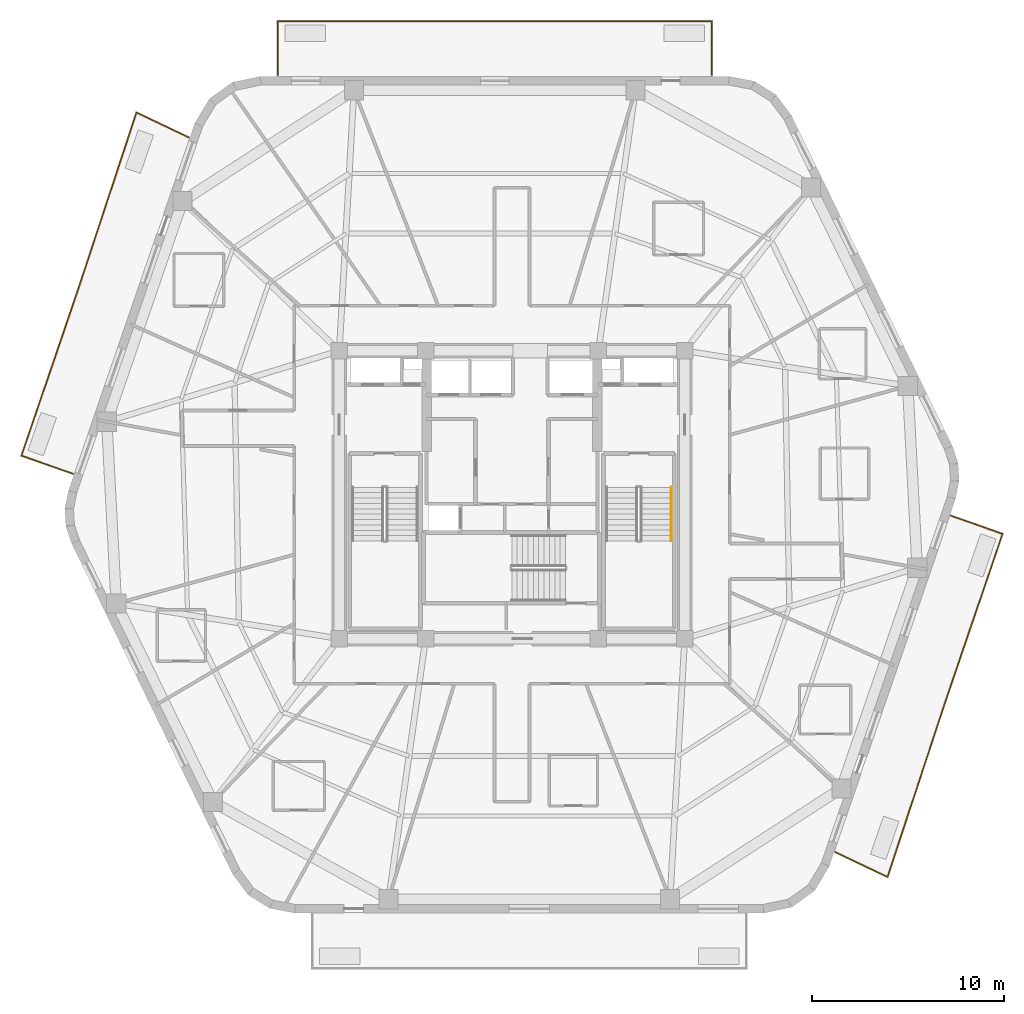
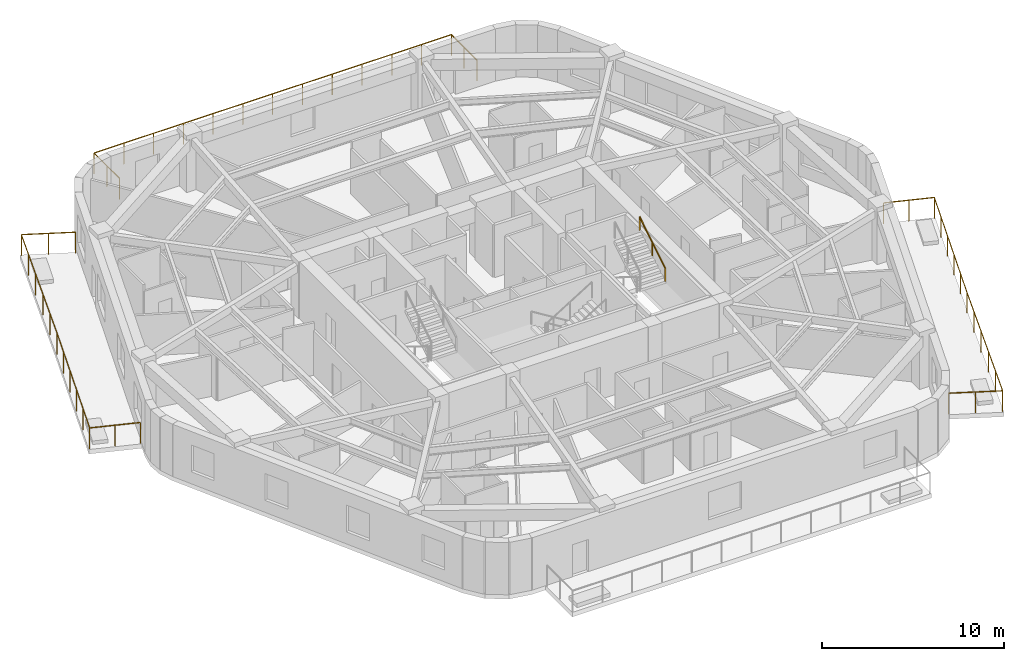
# One storey, part 9 of 9: 4 railings.
"""IFC4 building model written with IfcOpenShell, lengths in metres."""

import ifcopenshell
import ifcopenshell.guid

model = None  # the IFC model being written
_history = None  # IfcOwnerHistory: only IFC2X3 demands one
_inside = {}  # id of a spatial element -> (the spatial element, [elements in it])
_under = {}  # id of a project, library or spatial element -> (it, [spatial elements below it])
_declared = {}  # id of a project -> (the project, [libraries it declares])
_typed = {}  # id of a type object -> (the type object, [elements of that type])
_made_of = {}  # id of a material, layer set ... -> (it, [elements and type objects made of it])


def new_model(schema):
    """Start an empty IFC model of exactly this schema.

    Asked for "IFC4X3", IfcOpenShell would pick the latest addendum, in which some entities
    have other attributes; the version numbers below select the first issue.
    IFC2X3 requires an IfcOwnerHistory on every rooted entity: one is made here for all.
    """
    global model, _history
    if schema == "IFC4X3":
        model = ifcopenshell.file(schema_version=(4, 3, 0, 0))
    else:
        model = ifcopenshell.file(schema=schema)
    _inside.clear()
    _under.clear()
    _declared.clear()
    _typed.clear()
    _made_of.clear()
    _history = None
    if model.schema == "IFC2X3":
        org = make("IfcOrganization", Name="unknown")
        user = make(
            "IfcPersonAndOrganization",
            ThePerson=make("IfcPerson", FamilyName="unknown"),
            TheOrganization=org,
        )
        app = make(
            "IfcApplication",
            ApplicationDeveloper=org,
            Version="unknown",
            ApplicationFullName="unknown",
            ApplicationIdentifier="unknown",
        )
        _history = make(
            "IfcOwnerHistory",
            OwningUser=user,
            OwningApplication=app,
            ChangeAction="ADDED",
            CreationDate=0,
        )
    return model


def make(cls, **values):
    """One entity of the class cls with the attributes given. An attribute that is None is left unset."""
    return model.create_entity(
        cls, **{name: value for name, value in values.items() if value is not None}
    )


def rooted(cls, **values):
    """An entity with a GlobalId (a new one), such as an element, a storey or a relation."""
    return make(cls, GlobalId=ifcopenshell.guid.new(), OwnerHistory=_history, **values)


def si_unit(unit_type, name, prefix=None):
    """IfcSIUnit, for example si_unit("LENGTHUNIT", "METRE", prefix="MILLI")."""
    return make("IfcSIUnit", UnitType=unit_type, Prefix=prefix, Name=name)


def assignment(units):
    """IfcUnitAssignment: the units of a project."""
    return None if units is None else make("IfcUnitAssignment", Units=units)


def point(xyz):
    """IfcCartesianPoint."""
    return None if xyz is None else make("IfcCartesianPoint", Coordinates=xyz)


def direction(xyz):
    """IfcDirection."""
    return None if xyz is None else make("IfcDirection", DirectionRatios=xyz)


def frame(location, z_axis=None, x_axis=None):
    """IfcAxis2Placement3D, a coordinate frame: its origin and axes. An axis left out is left unset."""
    return make(
        "IfcAxis2Placement3D",
        Location=point(location),
        Axis=direction(z_axis),
        RefDirection=direction(x_axis),
    )


def frame_2d(location, x_axis=None):
    """IfcAxis2Placement2D, a coordinate frame in the plane: its origin and x axis."""
    return make(
        "IfcAxis2Placement2D", Location=point(location), RefDirection=direction(x_axis)
    )


def origin():
    """The frame at (0, 0, 0) with its axes left unset."""
    return frame((0.0, 0.0, 0.0))


def origin_2d():
    """The frame at (0, 0) in the plane with its x axis left unset."""
    return frame_2d((0.0, 0.0))


def place(relative_to, where):
    """IfcLocalPlacement: puts the frame where relative to a parent placement (None: the world)."""
    return make(
        "IfcLocalPlacement", PlacementRelTo=relative_to, RelativePlacement=where
    )


def context(
    kind, dimensions, precision=None, world=None, true_north=None, identifier=None
):
    """IfcGeometricRepresentationContext, for example the 3D "Model" context."""
    return make(
        "IfcGeometricRepresentationContext",
        ContextIdentifier=identifier,
        ContextType=kind,
        CoordinateSpaceDimension=dimensions,
        Precision=precision,
        WorldCoordinateSystem=world,
        TrueNorth=true_north,
    )


def subcontext(parent, identifier, kind, view, scale=None):
    """IfcGeometricRepresentationSubContext, for example "Body" below "Model"."""
    return make(
        "IfcGeometricRepresentationSubContext",
        ContextIdentifier=identifier,
        ContextType=kind,
        ParentContext=parent,
        TargetScale=scale,
        TargetView=view,
    )


def project(units=None, contexts=None):
    """IfcProject with its units and contexts."""
    return rooted(
        "IfcProject",
        Name="project",
        RepresentationContexts=contexts,
        UnitsInContext=assignment(units),
    )


def spatial(cls, under=None, at=None, **own):
    """A site, building, storey or space (cls), placed at a placement, below another one or the project."""
    s = rooted(cls, ObjectPlacement=at, **own)
    if under is not None:
        _under.setdefault(under.id(), (under, []))[1].append(s)
    return s


def profile(cls, at=None, kind="AREA", **sizes):
    """A parametric profile (cls). Its sizes go by their IFC names, for example OverallWidth=200.0."""
    return make(cls, ProfileType=kind, Position=at, **sizes)


def rectangle(**sizes):
    """IfcRectangleProfileDef."""
    return profile("IfcRectangleProfileDef", **sizes)


def extrude(swept, where, along, depth):
    """IfcExtrudedAreaSolid: the profile swept, set in the frame where, extruded along a direction by depth."""
    return make(
        "IfcExtrudedAreaSolid",
        SweptArea=swept,
        Position=where,
        ExtrudedDirection=direction(along),
        Depth=depth,
    )


def shape(context_of_items, identifier, shape_type, items):
    """IfcShapeRepresentation: the items that make up one representation, for example the "Body"."""
    return make(
        "IfcShapeRepresentation",
        ContextOfItems=context_of_items,
        RepresentationIdentifier=identifier,
        RepresentationType=shape_type,
        Items=items,
    )


def material(Name=None, Category=None):
    """IfcMaterial."""
    return make("IfcMaterial", Name=Name, Category=Category)


def layer(
    of_material, thickness, ventilated=None, Name=None, Category=None, Priority=None
):
    """IfcMaterialLayer: one layer of a wall or slab, of a material (None: an air gap)."""
    return make(
        "IfcMaterialLayer",
        Material=of_material,
        LayerThickness=thickness,
        IsVentilated=ventilated,
        Name=Name,
        Category=Category,
        Priority=Priority,
    )


def layer_set(layers, Name=None):
    """IfcMaterialLayerSet."""
    return make("IfcMaterialLayerSet", MaterialLayers=layers, LayerSetName=Name)


def made_of(thing, what):
    """Note that an element or type object is made of a material, layer set ...; save() writes the relation."""
    if what is not None:
        _made_of.setdefault(what.id(), (what, []))[1].append(thing)
    return thing


def type_object(cls, material=None, **own):
    """A type object (cls), such as IfcWallType, which elements share."""
    return made_of(rooted(cls, **own), material)


def element(
    cls,
    number,
    at=None,
    inside=None,
    cuts=None,
    type_object=None,
    material=None,
    context=None,
    identifier="Body",
    shape_type=None,
    held_by="IfcProductDefinitionShape",
    body=None,
    shapes=None,
    **own,
):
    """One element of the class cls, such as IfcWall. Its Tag is "e" and its number.

    at: its placement. inside: the storey or other place that contains it. cuts: it is an
    opening in that element (IfcRelVoidsElement). A single representation is given by context,
    identifier, shape_type and body (its items); several are given by shapes. held_by: the class
    of the entity that holds the representations. save() writes the other relations.
    """
    e = rooted(cls, Tag="e%d" % number, ObjectPlacement=at, **own)
    if body is not None:
        shapes = [shape(context, identifier, shape_type, body)]
    if shapes is not None:
        e.Representation = make(held_by, Representations=shapes)
    if inside is not None:
        _inside.setdefault(inside.id(), (inside, []))[1].append(e)
    if cuts is not None:
        rooted(
            "IfcRelVoidsElement", RelatingBuildingElement=cuts, RelatedOpeningElement=e
        )
    if type_object is not None:
        _typed.setdefault(type_object.id(), (type_object, []))[1].append(e)
    return made_of(e, material)


def aggregate(whole, parts):
    """IfcRelAggregates: a whole, such as a stair, and the parts it consists of."""
    return rooted("IfcRelAggregates", RelatingObject=whole, RelatedObjects=parts)


def save(model, path):
    """Write the relations noted so far, then the file.

    IfcRelAggregates (storeys below a building ...), IfcRelContainedInSpatialStructure (elements
    in a storey), IfcRelDefinesByType, IfcRelAssociatesMaterial and IfcRelDeclares: one each for
    every whole, place, type object, material and project.
    """
    for whole, parts in _under.values():
        aggregate(whole, parts)
    for where, things in _inside.values():
        rooted(
            "IfcRelContainedInSpatialStructure",
            RelatedElements=things,
            RelatingStructure=where,
        )
    for kind, things in _typed.values():
        rooted("IfcRelDefinesByType", RelatedObjects=things, RelatingType=kind)
    for what, things in _made_of.values():
        rooted("IfcRelAssociatesMaterial", RelatedObjects=things, RelatingMaterial=what)
    for by, libraries in _declared.values():
        rooted("IfcRelDeclares", RelatingContext=by, RelatedDefinitions=libraries)
    model.write(path)


model = new_model("IFC4")

# Units and contexts
model_context = context("Model", 3, precision=1e-05, world=origin(), true_north=direction((0.0, 1.0)))
body_context = subcontext(model_context, "Body", "Model", "MODEL_VIEW")
ifc_project = project(units=[si_unit("LENGTHUNIT", "METRE"), si_unit("AREAUNIT", "SQUARE_METRE"), si_unit("VOLUMEUNIT", "CUBIC_METRE"), si_unit("PLANEANGLEUNIT", "RADIAN"), si_unit("MASSUNIT", "GRAM", prefix="KILO")], contexts=[model_context])

# Site, building, storey
site_placement = place(None, origin())
site = spatial("IfcSite", under=ifc_project, at=site_placement, CompositionType="ELEMENT")
building_placement = place(site_placement, origin())
building = spatial("IfcBuilding", under=site, at=building_placement, Name="Kilnhurst Terrace Hotel", CompositionType="ELEMENT")
storey_placement = place(building_placement, frame((0.0, 0.0, 221.699951171875)))
storey = spatial("IfcBuildingStorey", under=building, at=storey_placement, Name="L55", CompositionType="ELEMENT", Elevation=221.699951171875)

# Railings
ifc_material_1 = material(Name="Laminated SentryGlas and Stainless Steel AISI 316L Balustrade", Category="steel")
ifc_layer_1 = layer(ifc_material_1, 0.070068359375, Name="Laminated SentryGlas and Stainless Steel AISI 316L Balustrade")
ifc_layer_set_1 = layer_set([ifc_layer_1], Name="Laminated SentryGlas and Stainless Steel AISI 316L Balustrade")
railing_type_1 = type_object("IfcRailingType", Name="RLG-BAL-1420", PredefinedType="BALUSTRADE", material=ifc_layer_set_1)
railing_1_placement = place(storey_placement, frame((22.894287109375, -1.1005859375, 0.0)))
element("IfcRailing", 1, at=railing_1_placement, inside=storey, type_object=railing_type_1, Name="L55 Exterior Terrace Guardrail BAL-L1B.1", PredefinedType="BALUSTRADE", context=body_context, shape_type="SweptSolid", body=[
    extrude(rectangle(XDim=0.048095703125, YDim=0.048095703125, at=origin_2d()), frame((0.0, 0.0, 1.39599609375), z_axis=(0.943611810029, -0.331054001597, 0.0), x_axis=(0.331054001597, 0.943611810029, 0.0)), (0.0, 0.0, 1.0), 2.828125),
    extrude(rectangle(XDim=0.048095703125, YDim=0.048095703125, at=origin_2d()), frame((2.668701171875, -0.936279296875, 1.39599609375), z_axis=(-0.322845243604, -0.946451767753, 0.0), x_axis=(0.946451767753, -0.322845243604, 0.0)), (0.0, 0.0, 1.0), 9.19775390625),
    extrude(rectangle(XDim=0.048095703125, YDim=0.048095703125, at=origin_2d()), frame((-0.30078125, -9.6416015625, 1.39599609375), z_axis=(-0.316227766017, -0.948683298051, 0.0), x_axis=(0.948683298051, -0.316227766017, 0.0)), (0.0, 0.0, 1.0), 0.000732421875),
    extrude(rectangle(XDim=0.048095703125, YDim=0.048095703125, at=origin_2d()), frame((-0.301025390625, -9.642333984375, 1.39599609375), z_axis=(-0.31308682558, -0.949724507238, 0.0), x_axis=(0.949724507238, -0.31308682558, 0.0)), (0.0, 0.0, 1.0), 9.6591796875),
    extrude(rectangle(XDim=0.048095703125, YDim=0.048095703125, at=origin_2d()), frame((-3.3251953125, -18.81591796875, 1.39599609375), z_axis=(-0.902564652544, 0.430554349622, 0.0), x_axis=(-0.430554349622, -0.902564652544, 0.0)), (0.0, 0.0, 1.0), 2.99169921875),
    extrude(rectangle(XDim=0.0419921875, YDim=0.0419921875, at=origin_2d()), origin(), (0.0, 0.0, 1.0), 1.371826171875),
    extrude(rectangle(XDim=0.0419921875, YDim=0.0419921875, at=origin_2d()), frame((1.33447265625, -0.46826171875, 0.0)), (0.0, 0.0, 1.0), 1.371826171875),
    extrude(rectangle(XDim=0.0419921875, YDim=0.0419921875, at=origin_2d()), frame((2.668701171875, -0.936279296875, 0.0)), (0.0, 0.0, 1.0), 1.371826171875),
    extrude(rectangle(XDim=0.0419921875, YDim=0.0419921875, at=origin_2d()), frame((2.07470703125, -2.67724609375, 0.0)), (0.0, 0.0, 1.0), 1.371826171875),
    extrude(rectangle(XDim=0.0419921875, YDim=0.0419921875, at=origin_2d()), frame((1.48095703125, -4.41845703125, 0.0)), (0.0, 0.0, 1.0), 1.371826171875),
    extrude(rectangle(XDim=0.0419921875, YDim=0.0419921875, at=origin_2d()), frame((0.886962890625, -6.159423828125, 0.0)), (0.0, 0.0, 1.0), 1.371826171875),
    extrude(rectangle(XDim=0.0419921875, YDim=0.0419921875, at=origin_2d()), frame((0.293212890625, -7.900634765625, 0.0)), (0.0, 0.0, 1.0), 1.371826171875),
    extrude(rectangle(XDim=0.0419921875, YDim=0.0419921875, at=origin_2d()), frame((-0.30078125, -9.6416015625, 0.0)), (0.0, 0.0, 1.0), 1.371826171875),
    extrude(rectangle(XDim=0.0419921875, YDim=0.0419921875, at=origin_2d()), frame((-0.301025390625, -9.642333984375, 0.0)), (0.0, 0.0, 1.0), 1.371826171875),
    extrude(rectangle(XDim=0.0419921875, YDim=0.0419921875, at=origin_2d()), frame((-0.90576171875, -11.47705078125, 0.0)), (0.0, 0.0, 1.0), 1.371826171875),
    extrude(rectangle(XDim=0.0419921875, YDim=0.0419921875, at=origin_2d()), frame((-1.5107421875, -13.311767578125, 0.0)), (0.0, 0.0, 1.0), 1.371826171875),
    extrude(rectangle(XDim=0.0419921875, YDim=0.0419921875, at=origin_2d()), frame((-2.115478515625, -15.146484375, 0.0)), (0.0, 0.0, 1.0), 1.371826171875),
    extrude(rectangle(XDim=0.0419921875, YDim=0.0419921875, at=origin_2d()), frame((-2.720458984375, -16.981201171875, 0.0)), (0.0, 0.0, 1.0), 1.371826171875),
    extrude(rectangle(XDim=0.0419921875, YDim=0.0419921875, at=origin_2d()), frame((-3.3251953125, -18.81591796875, 0.0)), (0.0, 0.0, 1.0), 1.371826171875),
    extrude(rectangle(XDim=0.0419921875, YDim=0.0419921875, at=origin_2d()), frame((-4.67529296875, -18.171875, 0.0)), (0.0, 0.0, 1.0), 1.371826171875),
    extrude(rectangle(XDim=0.0419921875, YDim=0.0419921875, at=origin_2d()), frame((-6.025390625, -17.52783203125, 0.0)), (0.0, 0.0, 1.0), 1.371826171875),
])
railing_2_placement = place(storey_placement, frame((-12.21484375, 21.8798828125, 0.0)))
element("IfcRailing", 2, at=railing_2_placement, inside=storey, type_object=railing_type_1, Name="L55 Exterior Terrace Guardrail BAL-L2A.1", PredefinedType="BALUSTRADE", context=body_context, shape_type="SweptSolid", body=[
    extrude(rectangle(XDim=0.048095703125, YDim=0.048095703125, at=origin_2d()), frame((0.0, 0.0, 1.39599609375), z_axis=(0.0, 1.0, 0.0), x_axis=(-1.0, 0.0, 0.0)), (0.0, 0.0, 1.0), 2.800048828125),
    extrude(rectangle(XDim=0.048095703125, YDim=0.048095703125, at=origin_2d()), frame((0.0, 2.800048828125, 1.39599609375), z_axis=(1.0, 0.0, 0.0), x_axis=(0.0, 1.0, 0.0)), (0.0, 0.0, 1.0), 22.62353515625),
    extrude(rectangle(XDim=0.048095703125, YDim=0.048095703125, at=origin_2d()), frame((22.62353515625, 2.800048828125, 1.39599609375), z_axis=(0.0, -1.0, 0.0), x_axis=(1.0, 0.0, 0.0)), (0.0, 0.0, 1.0), 2.800048828125),
    extrude(rectangle(XDim=0.0419921875, YDim=0.0419921875, at=origin_2d()), origin(), (0.0, 0.0, 1.0), 1.371826171875),
    extrude(rectangle(XDim=0.0419921875, YDim=0.0419921875, at=origin_2d()), frame((0.0, 1.39990234375, 0.0)), (0.0, 0.0, 1.0), 1.371826171875),
    extrude(rectangle(XDim=0.0419921875, YDim=0.0419921875, at=origin_2d()), frame((0.0, 2.800048828125, 0.0)), (0.0, 0.0, 1.0), 1.371826171875),
    extrude(rectangle(XDim=0.0419921875, YDim=0.0419921875, at=origin_2d()), frame((1.88525390625, 2.800048828125, 0.0)), (0.0, 0.0, 1.0), 1.371826171875),
    extrude(rectangle(XDim=0.0419921875, YDim=0.0419921875, at=origin_2d()), frame((3.7705078125, 2.800048828125, 0.0)), (0.0, 0.0, 1.0), 1.371826171875),
    extrude(rectangle(XDim=0.0419921875, YDim=0.0419921875, at=origin_2d()), frame((5.65576171875, 2.800048828125, 0.0)), (0.0, 0.0, 1.0), 1.371826171875),
    extrude(rectangle(XDim=0.0419921875, YDim=0.0419921875, at=origin_2d()), frame((7.541259765625, 2.800048828125, 0.0)), (0.0, 0.0, 1.0), 1.371826171875),
    extrude(rectangle(XDim=0.0419921875, YDim=0.0419921875, at=origin_2d()), frame((9.426513671875, 2.800048828125, 0.0)), (0.0, 0.0, 1.0), 1.371826171875),
    extrude(rectangle(XDim=0.0419921875, YDim=0.0419921875, at=origin_2d()), frame((11.311767578125, 2.800048828125, 0.0)), (0.0, 0.0, 1.0), 1.371826171875),
    extrude(rectangle(XDim=0.0419921875, YDim=0.0419921875, at=origin_2d()), frame((13.197021484375, 2.800048828125, 0.0)), (0.0, 0.0, 1.0), 1.371826171875),
    extrude(rectangle(XDim=0.0419921875, YDim=0.0419921875, at=origin_2d()), frame((15.082275390625, 2.800048828125, 0.0)), (0.0, 0.0, 1.0), 1.371826171875),
    extrude(rectangle(XDim=0.0419921875, YDim=0.0419921875, at=origin_2d()), frame((16.9677734375, 2.800048828125, 0.0)), (0.0, 0.0, 1.0), 1.371826171875),
    extrude(rectangle(XDim=0.0419921875, YDim=0.0419921875, at=origin_2d()), frame((18.85302734375, 2.800048828125, 0.0)), (0.0, 0.0, 1.0), 1.371826171875),
    extrude(rectangle(XDim=0.0419921875, YDim=0.0419921875, at=origin_2d()), frame((20.73828125, 2.800048828125, 0.0)), (0.0, 0.0, 1.0), 1.371826171875),
    extrude(rectangle(XDim=0.0419921875, YDim=0.0419921875, at=origin_2d()), frame((22.62353515625, 2.800048828125, 0.0)), (0.0, 0.0, 1.0), 1.371826171875),
    extrude(rectangle(XDim=0.0419921875, YDim=0.0419921875, at=origin_2d()), frame((22.62353515625, 1.39990234375, 0.0)), (0.0, 0.0, 1.0), 1.371826171875),
    extrude(rectangle(XDim=0.0419921875, YDim=0.0419921875, at=origin_2d()), frame((22.62353515625, 0.0, 0.0)), (0.0, 0.0, 1.0), 1.371826171875),
])
railing_3_placement = place(storey_placement, frame((-22.894287109375, 1.1005859375, 0.0)))
element("IfcRailing", 3, at=railing_3_placement, inside=storey, type_object=railing_type_1, Name="L55 Exterior Terrace Guardrail BAL-L2B.1", PredefinedType="BALUSTRADE", context=body_context, shape_type="SweptSolid", body=[
    extrude(rectangle(XDim=0.048095703125, YDim=0.048095703125, at=origin_2d()), frame((0.0, 0.0, 1.39599609375), z_axis=(-0.943611810029, 0.331054001597, 0.0), x_axis=(-0.331054001597, -0.943611810029, 0.0)), (0.0, 0.0, 1.0), 2.828125),
    extrude(rectangle(XDim=0.048095703125, YDim=0.048095703125, at=origin_2d()), frame((-2.668701171875, 0.936279296875, 1.39599609375), z_axis=(0.322845243604, 0.946451767753, 0.0), x_axis=(-0.946451767753, 0.322845243604, 0.0)), (0.0, 0.0, 1.0), 9.19775390625),
    extrude(rectangle(XDim=0.048095703125, YDim=0.048095703125, at=origin_2d()), frame((0.30078125, 9.6416015625, 1.39599609375), z_axis=(0.316227766017, 0.948683298051, 0.0), x_axis=(-0.948683298051, 0.316227766017, 0.0)), (0.0, 0.0, 1.0), 0.000732421875),
    extrude(rectangle(XDim=0.048095703125, YDim=0.048095703125, at=origin_2d()), frame((0.301025390625, 9.642333984375, 1.39599609375), z_axis=(0.31308682558, 0.949724507238, 0.0), x_axis=(-0.949724507238, 0.31308682558, 0.0)), (0.0, 0.0, 1.0), 9.6591796875),
    extrude(rectangle(XDim=0.048095703125, YDim=0.048095703125, at=origin_2d()), frame((3.3251953125, 18.81591796875, 1.39599609375), z_axis=(0.902564652544, -0.430554349622, 0.0), x_axis=(0.430554349622, 0.902564652544, 0.0)), (0.0, 0.0, 1.0), 2.99169921875),
    extrude(rectangle(XDim=0.0419921875, YDim=0.0419921875, at=origin_2d()), origin(), (0.0, 0.0, 1.0), 1.371826171875),
    extrude(rectangle(XDim=0.0419921875, YDim=0.0419921875, at=origin_2d()), frame((-1.33447265625, 0.46826171875, 0.0)), (0.0, 0.0, 1.0), 1.371826171875),
    extrude(rectangle(XDim=0.0419921875, YDim=0.0419921875, at=origin_2d()), frame((-2.668701171875, 0.936279296875, 0.0)), (0.0, 0.0, 1.0), 1.371826171875),
    extrude(rectangle(XDim=0.0419921875, YDim=0.0419921875, at=origin_2d()), frame((-2.07470703125, 2.67724609375, 0.0)), (0.0, 0.0, 1.0), 1.371826171875),
    extrude(rectangle(XDim=0.0419921875, YDim=0.0419921875, at=origin_2d()), frame((-1.48095703125, 4.41845703125, 0.0)), (0.0, 0.0, 1.0), 1.371826171875),
    extrude(rectangle(XDim=0.0419921875, YDim=0.0419921875, at=origin_2d()), frame((-0.886962890625, 6.159423828125, 0.0)), (0.0, 0.0, 1.0), 1.371826171875),
    extrude(rectangle(XDim=0.0419921875, YDim=0.0419921875, at=origin_2d()), frame((-0.293212890625, 7.900634765625, 0.0)), (0.0, 0.0, 1.0), 1.371826171875),
    extrude(rectangle(XDim=0.0419921875, YDim=0.0419921875, at=origin_2d()), frame((0.30078125, 9.6416015625, 0.0)), (0.0, 0.0, 1.0), 1.371826171875),
    extrude(rectangle(XDim=0.0419921875, YDim=0.0419921875, at=origin_2d()), frame((0.301025390625, 9.642333984375, 0.0)), (0.0, 0.0, 1.0), 1.371826171875),
    extrude(rectangle(XDim=0.0419921875, YDim=0.0419921875, at=origin_2d()), frame((0.90576171875, 11.47705078125, 0.0)), (0.0, 0.0, 1.0), 1.371826171875),
    extrude(rectangle(XDim=0.0419921875, YDim=0.0419921875, at=origin_2d()), frame((1.5107421875, 13.311767578125, 0.0)), (0.0, 0.0, 1.0), 1.371826171875),
    extrude(rectangle(XDim=0.0419921875, YDim=0.0419921875, at=origin_2d()), frame((2.115478515625, 15.146484375, 0.0)), (0.0, 0.0, 1.0), 1.371826171875),
    extrude(rectangle(XDim=0.0419921875, YDim=0.0419921875, at=origin_2d()), frame((2.720458984375, 16.981201171875, 0.0)), (0.0, 0.0, 1.0), 1.371826171875),
    extrude(rectangle(XDim=0.0419921875, YDim=0.0419921875, at=origin_2d()), frame((3.3251953125, 18.81591796875, 0.0)), (0.0, 0.0, 1.0), 1.371826171875),
    extrude(rectangle(XDim=0.0419921875, YDim=0.0419921875, at=origin_2d()), frame((4.67529296875, 18.171875, 0.0)), (0.0, 0.0, 1.0), 1.371826171875),
    extrude(rectangle(XDim=0.0419921875, YDim=0.0419921875, at=origin_2d()), frame((6.025390625, 17.52783203125, 0.0)), (0.0, 0.0, 1.0), 1.371826171875),
])
ifc_material_2 = material(Name="Brushed Stainless Steel AISI 304", Category="steel")
ifc_layer_2 = layer(ifc_material_2, 0.048095703125, Name="Brushed Stainless Steel AISI 304")
ifc_layer_set_2 = layer_set([ifc_layer_2], Name="Brushed Stainless Steel AISI 304")
railing_type_2 = type_object("IfcRailingType", Name="RLG-ST-HRL-900", PredefinedType="HANDRAIL", material=ifc_layer_set_2)
railing_4_placement = place(storey_placement, frame((8.300048828125, -2.409912109375, 2.07275390625)))
element("IfcRailing", 4, at=railing_4_placement, inside=storey, type_object=railing_type_2, Name="L55 ST-2 stair handrail 2", PredefinedType="HANDRAIL", context=body_context, shape_type="SweptSolid", body=[
    extrude(rectangle(XDim=0.048095703125, YDim=0.048095703125, at=origin_2d()), frame((0.0, 0.0, 0.8759765625), z_axis=(0.0, 0.851069175582, 0.525053576669), x_axis=(-1.0, 0.0, 0.0)), (0.0, 0.0, 1.0), 3.289794921875),
    extrude(rectangle(XDim=0.0419921875, YDim=0.0419921875, at=origin_2d()), origin(), (0.0, 0.0, 1.0), 0.851806640625),
    extrude(rectangle(XDim=0.0419921875, YDim=0.0419921875, at=origin_2d()), frame((0.0, 1.39990234375, 0.86376953125)), (0.0, 0.0, 1.0), 0.851806640625),
    extrude(rectangle(XDim=0.0419921875, YDim=0.0419921875, at=origin_2d()), frame((0.0, 2.7998046875, 1.727294921875)), (0.0, 0.0, 1.0), 0.851806640625),
])

save(model, "model.ifc")
